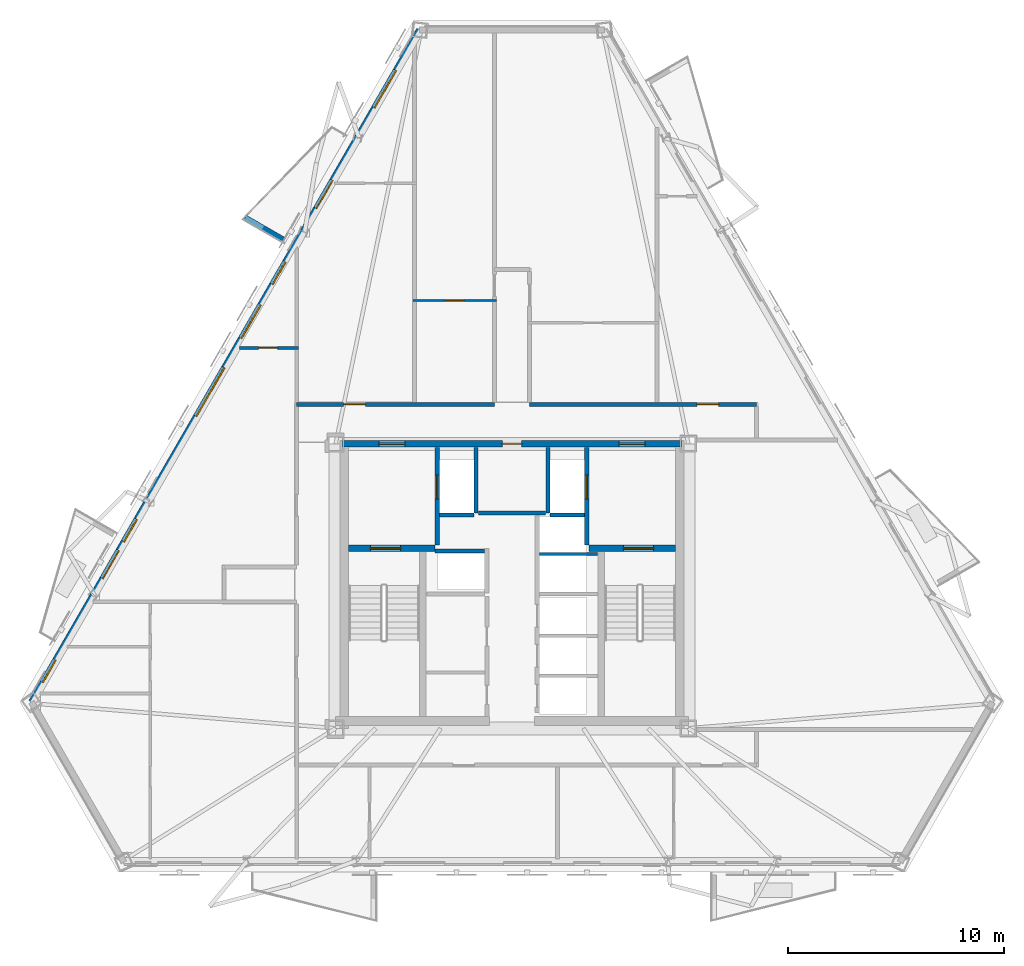
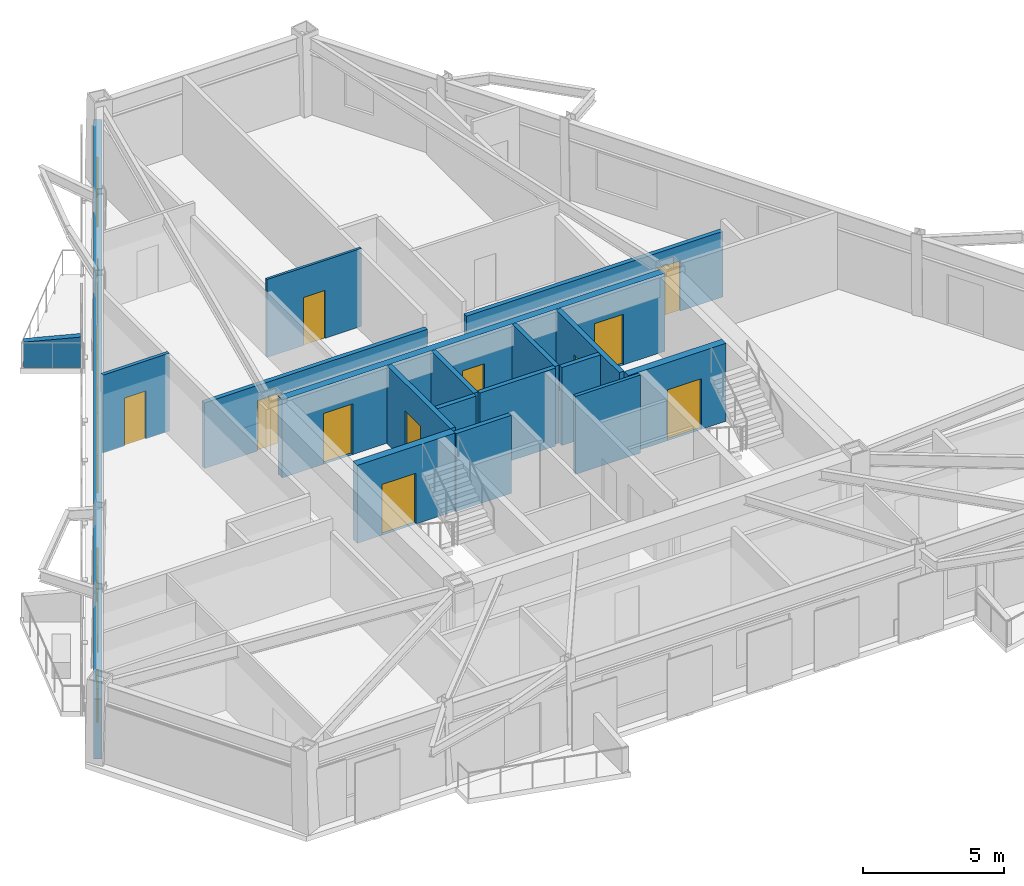
# One storey, part 4 of 8: 18 walls, 13 doors, 6 windows, 19 openings.
"""IFC4 building model written with IfcOpenShell, lengths in metres."""

from ifc_helpers import new_model, si_unit, direction, frame, frame_2d, origin, place, context, subcontext, project, spatial, polyline, rectangle, outline, extrude, material, layer, layer_set, type_object, element, fill, save


model = new_model("IFC4")

# Units and contexts
model_context = context("Model", 3, precision=1e-05, world=origin(), true_north=direction((0.0, 1.0)))
body_context = subcontext(model_context, "Body", "Model", "MODEL_VIEW")
ifc_project = project(units=[si_unit("LENGTHUNIT", "METRE"), si_unit("AREAUNIT", "SQUARE_METRE"), si_unit("VOLUMEUNIT", "CUBIC_METRE"), si_unit("PLANEANGLEUNIT", "RADIAN"), si_unit("MASSUNIT", "GRAM", prefix="KILO")], contexts=[model_context])

# Site, building, storey
site_placement = place(None, origin())
site = spatial("IfcSite", under=ifc_project, at=site_placement, CompositionType="ELEMENT")
building_placement = place(site_placement, origin())
building = spatial("IfcBuilding", under=site, at=building_placement, Name="Oramaril Tower", CompositionType="ELEMENT")
storey_placement = place(building_placement, frame((0.0, 0.0, 171.0)))
storey = spatial("IfcBuildingStorey", under=building, at=storey_placement, Name="L45", CompositionType="ELEMENT", Elevation=171.0)

# Wall, openings, doors, windows
ifc_material_1 = material(Name="Warm Cream Limestone", Category="masonry")
ifc_layer_1 = layer(ifc_material_1, 0.2900390625)
ifc_layer_set_1 = layer_set([ifc_layer_1], Name="WT-EXT29")
wall_type_1 = type_object("IfcWallType", Name="WT-EXT29", PredefinedType="SOLIDWALL", material=ifc_layer_set_1)
wall_1_placement = place(storey_placement, frame((33.2255859375, 43.275390625, 0.0), z_axis=(0.0, 0.0, 1.0), x_axis=(-0.499997229411, -0.866027003379, 0.0)))
wall_1 = element("IfcWall", 1, at=wall_1_placement, inside=storey, type_object=wall_type_1, Name="L45 Tower Limestone Facade Wall 6M", PredefinedType="SOLIDWALL", context=body_context, shape_type="SweptSolid", body=[
    extrude(rectangle(XDim=35.866455078125, YDim=0.2900390625, at=frame_2d((17.93310546875, 0.0))), origin(), (0.0, 0.0, 1.0), 2.60009765625),
])
opening_1_placement = place(wall_1_placement, frame((8.034423828125, 0.0, 0.0)))
opening_1 = element("IfcOpeningElement", 2, at=opening_1_placement, cuts=wall_1, Name="Opening D-L45-BAL-NW1", PredefinedType="OPENING", context=body_context, shape_type="SweptSolid", body=[
    extrude(rectangle(XDim=1.5, YDim=2.199951171875, at=frame_2d((0.75, 1.10009765625))), frame((0.0, 0.14501953125, 0.0), z_axis=(0.0, -1.0, 0.0), x_axis=(1.0, 0.0, 0.0)), (0.0, 0.0, 1.0), 0.2900390625),
])
opening_2_placement = place(wall_1_placement, frame((27.787109375, 0.0, 0.0)))
opening_2 = element("IfcOpeningElement", 3, at=opening_2_placement, cuts=wall_1, Name="Opening D-L45-BAL-NW2", PredefinedType="OPENING", context=body_context, shape_type="SweptSolid", body=[
    extrude(rectangle(XDim=1.5, YDim=2.199951171875, at=frame_2d((0.75, 1.10009765625))), frame((0.0, 0.14501953125, 0.0), z_axis=(0.0, -1.0, 0.0), x_axis=(1.0, 0.0, 0.0)), (0.0, 0.0, 1.0), 0.2900390625),
])
opening_3_placement = place(wall_1_placement, frame((33.6298828125, 0.0, 0.85009765625)))
opening_3 = element("IfcOpeningElement", 4, at=opening_3_placement, cuts=wall_1, Name="Opening WN-09", PredefinedType="OPENING", context=body_context, shape_type="SweptSolid", body=[
    extrude(rectangle(XDim=1.199951171875, YDim=1.47998046875, at=frame_2d((0.60009765625, 0.739990234375))), frame((0.0, 0.14501953125, 0.0), z_axis=(0.0, -1.0, 0.0), x_axis=(1.0, 0.0, 0.0)), (0.0, 0.0, 1.0), 0.2900390625),
])
opening_4_placement = place(wall_1_placement, frame((18.030029296875, 0.0, 0.85009765625)))
opening_4 = element("IfcOpeningElement", 5, at=opening_4_placement, cuts=wall_1, Name="Opening WN-02", PredefinedType="OPENING", context=body_context, shape_type="SweptSolid", body=[
    extrude(rectangle(XDim=2.60009765625, YDim=1.639892578125, at=frame_2d((1.300048828125, 0.81982421875))), frame((0.0, 0.14501953125, 0.0), z_axis=(0.0, -1.0, 0.0), x_axis=(1.0, 0.0, 0.0)), (0.0, 0.0, 1.0), 0.2900390625),
])
opening_5_placement = place(wall_1_placement, frame((26.12109375, 0.0, 0.85009765625)))
opening_5 = element("IfcOpeningElement", 6, at=opening_5_placement, cuts=wall_1, Name="Opening WN-09", PredefinedType="OPENING", context=body_context, shape_type="SweptSolid", body=[
    extrude(rectangle(XDim=1.199951171875, YDim=1.47998046875, at=frame_2d((0.60009765625, 0.739990234375))), frame((0.0, 0.14501953125, 0.0), z_axis=(0.0, -1.0, 0.0), x_axis=(1.0, 0.0, 0.0)), (0.0, 0.0, 1.0), 0.2900390625),
])
opening_6_placement = place(wall_1_placement, frame((12.37890625, 0.0, 0.85009765625)))
opening_6 = element("IfcOpeningElement", 7, at=opening_6_placement, cuts=wall_1, Name="Opening WN-09", PredefinedType="OPENING", context=body_context, shape_type="SweptSolid", body=[
    extrude(rectangle(XDim=1.199951171875, YDim=1.47998046875, at=frame_2d((0.60009765625, 0.739990234375))), frame((0.0, 0.14501953125, 0.0), z_axis=(0.0, -1.0, 0.0), x_axis=(1.0, 0.0, 0.0)), (0.0, 0.0, 1.0), 0.2900390625),
])
opening_7_placement = place(wall_1_placement, frame((14.6748046875, 0.0, 0.85009765625)))
opening_7 = element("IfcOpeningElement", 8, at=opening_7_placement, cuts=wall_1, Name="Opening WN-06", PredefinedType="OPENING", context=body_context, shape_type="SweptSolid", body=[
    extrude(rectangle(XDim=1.800048828125, YDim=1.639892578125, at=frame_2d((0.89990234375, 0.81982421875))), frame((0.0, 0.14501953125, 0.0), z_axis=(0.0, -1.0, 0.0), x_axis=(1.0, 0.0, 0.0)), (0.0, 0.0, 1.0), 0.2900390625),
])
opening_8_placement = place(wall_1_placement, frame((2.162109375, 0.0, 0.85009765625)))
opening_8 = element("IfcOpeningElement", 9, at=opening_8_placement, cuts=wall_1, Name="Opening WN-05", PredefinedType="OPENING", context=body_context, shape_type="SweptSolid", body=[
    extrude(rectangle(XDim=2.0, YDim=1.639892578125, at=frame_2d((1.0, 0.81982421875))), frame((0.0, 0.14501953125, 0.0), z_axis=(0.0, -1.0, 0.0), x_axis=(1.0, 0.0, 0.0)), (0.0, 0.0, 1.0), 0.2900390625),
])
ifc_material_2 = material(Name="Anodised Aluminium 6063-T6", Category="aluminium")
door_type_1 = type_object("IfcDoorType", Name="DT-BAL", OperationType="NOTDEFINED", PredefinedType="DOOR", material=ifc_material_2)
door_1_placement = place(opening_1_placement, origin())
door_1 = element("IfcDoor", 10, at=door_1_placement, inside=storey, type_object=door_type_1, Name="L45 Balcony Glazed Door L45-BAL-NW1", OperationType="SINGLE_SWING_RIGHT", OverallHeight=2.199951171875, OverallWidth=1.5, PredefinedType="DOOR", context=body_context, shape_type="SweptSolid", body=[
    extrude(rectangle(XDim=1.5, YDim=2.199951171875, at=frame_2d((0.75, 1.10009765625))), frame((0.0, 0.02490234375, 0.0), z_axis=(0.0, -1.0, 0.0), x_axis=(1.0, 0.0, 0.0)), (0.0, 0.0, 1.0), 0.050048828125),
])
fill(opening_1, door_1)
door_2_placement = place(opening_2_placement, origin())
door_2 = element("IfcDoor", 11, at=door_2_placement, inside=storey, type_object=door_type_1, Name="L45 Balcony Glazed Door L45-BAL-NW2", OperationType="SINGLE_SWING_LEFT", OverallHeight=2.199951171875, OverallWidth=1.5, PredefinedType="DOOR", context=body_context, shape_type="SweptSolid", body=[
    extrude(rectangle(XDim=1.5, YDim=2.199951171875, at=frame_2d((0.75, 1.10009765625))), frame((0.0, 0.02490234375, 0.0), z_axis=(0.0, -1.0, 0.0), x_axis=(1.0, 0.0, 0.0)), (0.0, 0.0, 1.0), 0.050048828125),
])
fill(opening_2, door_2)
ifc_material_3 = material(Name="Coastal Low-E Insulated Glass", Category="glass")
window_type_1 = type_object("IfcWindowType", Name="WNT-02", PartitioningType="SINGLE_PANEL", PredefinedType="WINDOW", material=ifc_material_3)
window_1_placement = place(opening_4_placement, origin())
window_1 = element("IfcWindow", 12, at=window_1_placement, inside=storey, type_object=window_type_1, Name="L45 Chicago Bay Window WN-02", OverallHeight=1.639892578125, OverallWidth=2.60009765625, PartitioningType="SINGLE_PANEL", PredefinedType="WINDOW", context=body_context, shape_type="SweptSolid", body=[
    extrude(rectangle(XDim=2.60009765625, YDim=1.639892578125, at=frame_2d((1.300048828125, 0.81982421875))), frame((0.0, 0.030029296875, 0.0), z_axis=(0.0, -1.0, 0.0), x_axis=(1.0, 0.0, 0.0)), (0.0, 0.0, 1.0), 0.06005859375),
])
fill(opening_4, window_1)
ifc_material_4 = material(Name="Coastal Low-E Insulated Glass", Category="glass")
window_type_2 = type_object("IfcWindowType", Name="WNT-05", PartitioningType="SINGLE_PANEL", PredefinedType="WINDOW", material=ifc_material_4)
window_2_placement = place(opening_8_placement, origin())
window_2 = element("IfcWindow", 13, at=window_2_placement, inside=storey, type_object=window_type_2, Name="L45 Chicago Bay Window WN-05", OverallHeight=1.639892578125, OverallWidth=2.0, PartitioningType="SINGLE_PANEL", PredefinedType="WINDOW", context=body_context, shape_type="SweptSolid", body=[
    extrude(rectangle(XDim=2.0, YDim=1.639892578125, at=frame_2d((1.0, 0.81982421875))), frame((0.0, 0.030029296875, 0.0), z_axis=(0.0, -1.0, 0.0), x_axis=(1.0, 0.0, 0.0)), (0.0, 0.0, 1.0), 0.06005859375),
])
fill(opening_8, window_2)
ifc_material_5 = material(Name="Coastal Low-E Insulated Glass", Category="glass")
window_type_3 = type_object("IfcWindowType", Name="WNT-06", PartitioningType="SINGLE_PANEL", PredefinedType="WINDOW", material=ifc_material_5)
window_3_placement = place(opening_7_placement, origin())
window_3 = element("IfcWindow", 14, at=window_3_placement, inside=storey, type_object=window_type_3, Name="L45 Chicago Bay Window WN-06", OverallHeight=1.639892578125, OverallWidth=1.800048828125, PartitioningType="SINGLE_PANEL", PredefinedType="WINDOW", context=body_context, shape_type="SweptSolid", body=[
    extrude(rectangle(XDim=1.800048828125, YDim=1.639892578125, at=frame_2d((0.89990234375, 0.81982421875))), frame((0.0, 0.030029296875, 0.0), z_axis=(0.0, -1.0, 0.0), x_axis=(1.0, 0.0, 0.0)), (0.0, 0.0, 1.0), 0.06005859375),
])
fill(opening_7, window_3)
ifc_material_6 = material(Name="Coastal Low-E Insulated Glass", Category="glass")
window_type_4 = type_object("IfcWindowType", Name="WNT-09", PartitioningType="SINGLE_PANEL", PredefinedType="WINDOW", material=ifc_material_6)
window_4_placement = place(opening_3_placement, origin())
window_4 = element("IfcWindow", 15, at=window_4_placement, inside=storey, type_object=window_type_4, Name="L45 Chicago Bay Window WN-09", OverallHeight=1.47998046875, OverallWidth=1.199951171875, PartitioningType="SINGLE_PANEL", PredefinedType="WINDOW", context=body_context, shape_type="SweptSolid", body=[
    extrude(rectangle(XDim=1.199951171875, YDim=1.47998046875, at=frame_2d((0.60009765625, 0.739990234375))), frame((0.0, 0.030029296875, 0.0), z_axis=(0.0, -1.0, 0.0), x_axis=(1.0, 0.0, 0.0)), (0.0, 0.0, 1.0), 0.06005859375),
])
fill(opening_3, window_4)
window_5_placement = place(opening_5_placement, origin())
window_5 = element("IfcWindow", 16, at=window_5_placement, inside=storey, type_object=window_type_4, Name="L45 Chicago Bay Window WN-09", OverallHeight=1.47998046875, OverallWidth=1.199951171875, PartitioningType="SINGLE_PANEL", PredefinedType="WINDOW", context=body_context, shape_type="SweptSolid", body=[
    extrude(rectangle(XDim=1.199951171875, YDim=1.47998046875, at=frame_2d((0.60009765625, 0.739990234375))), frame((0.0, 0.030029296875, 0.0), z_axis=(0.0, -1.0, 0.0), x_axis=(1.0, 0.0, 0.0)), (0.0, 0.0, 1.0), 0.06005859375),
])
fill(opening_5, window_5)
window_6_placement = place(opening_6_placement, origin())
window_6 = element("IfcWindow", 17, at=window_6_placement, inside=storey, type_object=window_type_4, Name="L45 Chicago Bay Window WN-09", OverallHeight=1.47998046875, OverallWidth=1.199951171875, PartitioningType="SINGLE_PANEL", PredefinedType="WINDOW", context=body_context, shape_type="SweptSolid", body=[
    extrude(rectangle(XDim=1.199951171875, YDim=1.47998046875, at=frame_2d((0.60009765625, 0.739990234375))), frame((0.0, 0.030029296875, 0.0), z_axis=(0.0, -1.0, 0.0), x_axis=(1.0, 0.0, 0.0)), (0.0, 0.0, 1.0), 0.06005859375),
])
fill(opening_6, window_6)

# Wall
ifc_material_7 = material(Name="Concrete C40/50", Category="concrete")
ifc_layer_2 = layer(ifc_material_7, 0.22998046875)
ifc_layer_set_2 = layer_set([ifc_layer_2], Name="WT-PRP23")
wall_type_2 = type_object("IfcWallType", Name="WT-PRP23", PredefinedType="PARAPET", material=ifc_layer_set_2)
wall_2_placement = place(storey_placement, frame((26.943115234375, 33.589599609375, 0.0), z_axis=(0.0, 0.0, 1.0), x_axis=(-0.866042246008, 0.499970827278, 0.0)))
element("IfcWall", 18, at=wall_2_placement, inside=storey, type_object=wall_type_2, Name="L45 Trapezoidal Balcony Frame Cheek L45-BAL-NW1-R", PredefinedType="PARAPET", context=body_context, shape_type="SweptSolid", body=[
    extrude(outline(polyline([(0.0, 0.0), (2.0419921875, 0.0), (2.0419921875, 1.10009765625), (0.0, 1.320068359375), (0.0, 0.0)])), frame((0.0, 0.114990234375, 0.0), z_axis=(0.0, -1.0, 0.0), x_axis=(1.0, 0.0, 0.0)), (0.0, 0.0, 1.0), 0.22998046875),
])

# Wall, opening, door
ifc_material_8 = material(Name="Acoustic Gypsum Board Partition")
ifc_layer_3 = layer(ifc_material_8, 0.10009765625)
ifc_layer_set_3 = layer_set([ifc_layer_3], Name="WT-PT10")
wall_type_3 = type_object("IfcWallType", Name="WT-PT10", PredefinedType="PARTITIONING", material=ifc_layer_set_3)
wall_3_placement = place(storey_placement, frame((32.91796875, 30.77001953125, 0.0), z_axis=(0.0, 0.0, 1.0), x_axis=(1.0, 0.0, 0.0)))
wall_3 = element("IfcWall", 19, at=wall_3_placement, inside=storey, type_object=wall_type_3, Name="L45 Interior Partition PT-10", PredefinedType="PARTITIONING", context=body_context, shape_type="SweptSolid", body=[
    extrude(rectangle(XDim=3.864013671875, YDim=0.10009765625, at=frame_2d((1.93212890625, 0.0))), origin(), (0.0, 0.0, 1.0), 3.3798828125),
])
opening_9_placement = place(wall_3_placement, frame((1.491943359375, 0.0, 0.0)))
opening_9 = element("IfcOpeningElement", 20, at=opening_9_placement, cuts=wall_3, Name="Opening D-L45-07", PredefinedType="OPENING", context=body_context, shape_type="SweptSolid", body=[
    extrude(rectangle(XDim=0.8798828125, YDim=2.080078125, at=frame_2d((0.43994140625, 1.0400390625))), frame((0.0, 0.050048828125, 0.0), z_axis=(0.0, -1.0, 0.0), x_axis=(1.0, 0.0, 0.0)), (0.0, 0.0, 1.0), 0.10009765625),
])
ifc_material_9 = material(Name="FSC Brazilian Freijo Hardwood", Category="wood")
door_type_2 = type_object("IfcDoorType", Name="DT-BATH", OperationType="NOTDEFINED", PredefinedType="DOOR", material=ifc_material_9)
door_3_placement = place(opening_9_placement, origin())
door_3 = element("IfcDoor", 21, at=door_3_placement, inside=storey, type_object=door_type_2, Name="L45 Flat L45-U7 Bathroom Door D-L45-07", OperationType="SINGLE_SWING_RIGHT", OverallHeight=2.080078125, OverallWidth=0.8798828125, PredefinedType="DOOR", context=body_context, shape_type="SweptSolid", body=[
    extrude(rectangle(XDim=0.8798828125, YDim=2.080078125, at=frame_2d((0.43994140625, 1.0400390625))), frame((0.0, 0.02490234375, 0.0), z_axis=(0.0, -1.0, 0.0), x_axis=(1.0, 0.0, 0.0)), (0.0, 0.0, 1.0), 0.050048828125),
])
fill(opening_9, door_3)

# Wall
ifc_material_10 = material(Name="Acoustic Gypsum Board Partition")
ifc_layer_4 = layer(ifc_material_10, 0.139892578125)
ifc_layer_set_4 = layer_set([ifc_layer_4], Name="WT-PT14")
wall_type_4 = type_object("IfcWallType", Name="WT-PT14", PredefinedType="PARTITIONING", material=ifc_layer_set_4)
wall_4_placement = place(storey_placement, frame((38.780029296875, 19.050048828125, 0.0), z_axis=(0.0, 0.0, 1.0), x_axis=(1.0, 0.0, 0.0)))
element("IfcWall", 22, at=wall_4_placement, inside=storey, type_object=wall_type_4, Name="L45 East Lift Divider", PredefinedType="PARTITIONING", context=body_context, shape_type="SweptSolid", body=[
    extrude(rectangle(XDim=2.659912109375, YDim=0.139892578125, at=frame_2d((1.330078125, 0.0))), origin(), (0.0, 0.0, 1.0), 3.3798828125),
])

# Wall, opening, door
wall_5_placement = place(storey_placement, frame((24.913330078125, 28.580078125, 0.0), z_axis=(0.0, 0.0, 1.0), x_axis=(1.0, 0.0, 0.0)))
wall_5 = element("IfcWall", 23, at=wall_5_placement, inside=storey, type_object=wall_type_4, Name="L45 Interior Partition PT-14", PredefinedType="PARTITIONING", context=body_context, shape_type="SweptSolid", body=[
    extrude(rectangle(XDim=2.71875, YDim=0.139892578125, at=frame_2d((1.359375, 0.0))), origin(), (0.0, 0.0, 1.0), 3.3798828125),
])
opening_10_placement = place(wall_5_placement, frame((0.87890625, 0.0, 0.0)))
opening_10 = element("IfcOpeningElement", 24, at=opening_10_placement, cuts=wall_5, Name="Opening D-L45-05", PredefinedType="OPENING", context=body_context, shape_type="SweptSolid", body=[
    extrude(rectangle(XDim=0.8798828125, YDim=2.080078125, at=frame_2d((0.43994140625, 1.0400390625))), frame((0.0, 0.06982421875, 0.0), z_axis=(0.0, -1.0, 0.0), x_axis=(1.0, 0.0, 0.0)), (0.0, 0.0, 1.0), 0.139892578125),
])
door_4_placement = place(opening_10_placement, origin())
door_4 = element("IfcDoor", 25, at=door_4_placement, inside=storey, type_object=door_type_2, Name="L45 Flat L45-U4 Bathroom Door D-L45-05", OperationType="SINGLE_SWING_RIGHT", OverallHeight=2.080078125, OverallWidth=0.8798828125, PredefinedType="DOOR", context=body_context, shape_type="SweptSolid", body=[
    extrude(rectangle(XDim=0.8798828125, YDim=2.080078125, at=frame_2d((0.43994140625, 1.0400390625))), frame((0.0, 0.02490234375, 0.0), z_axis=(0.0, -1.0, 0.0), x_axis=(1.0, 0.0, 0.0)), (0.0, 0.0, 1.0), 0.050048828125),
])
fill(opening_10, door_4)

# Walls
ifc_material_11 = material(Name="Autoclaved Cellular Concrete Block", Category="concrete")
ifc_layer_5 = layer(ifc_material_11, 0.179931640625)
ifc_layer_set_5 = layer_set([ifc_layer_5], Name="WT-PT18")
wall_type_5 = type_object("IfcWallType", Name="WT-PT18", PredefinedType="PARTITIONING", material=ifc_layer_set_5)
wall_6_placement = place(storey_placement, frame((35.840087890625, 20.9599609375, 0.0), z_axis=(0.0, 0.0, 1.0), x_axis=(0.0, 1.0, 0.0)))
element("IfcWall", 26, at=wall_6_placement, inside=storey, type_object=wall_type_5, Name="L45 FL-1 East Shaft Wall", PredefinedType="PARTITIONING", context=body_context, shape_type="SweptSolid", body=[
    extrude(rectangle(XDim=3.02001953125, YDim=0.179931640625, at=frame_2d((1.510009765625, 0.0))), origin(), (0.0, 0.0, 1.0), 3.3798828125),
])
wall_7_placement = place(storey_placement, frame((34.159912109375, 20.860107421875, 0.0), z_axis=(0.0, 0.0, 1.0), x_axis=(1.0, 0.0, 0.0)))
element("IfcWall", 27, at=wall_7_placement, inside=storey, type_object=wall_type_5, Name="L45 FL-1 South Shaft Wall", PredefinedType="PARTITIONING", context=body_context, shape_type="SweptSolid", body=[
    extrude(rectangle(XDim=1.580078125, YDim=0.179931640625, at=frame_2d((0.7900390625, 0.0))), origin(), (0.0, 0.0, 1.0), 3.3798828125),
])
wall_8_placement = place(storey_placement, frame((39.159912109375, 20.9599609375, 0.0), z_axis=(0.0, 0.0, 1.0), x_axis=(0.0, 1.0, 0.0)))
element("IfcWall", 28, at=wall_8_placement, inside=storey, type_object=wall_type_5, Name="L45 FL-2 West Shaft Wall", PredefinedType="PARTITIONING", context=body_context, shape_type="SweptSolid", body=[
    extrude(rectangle(XDim=3.02001953125, YDim=0.179931640625, at=frame_2d((1.510009765625, 0.0))), origin(), (0.0, 0.0, 1.0), 3.3798828125),
])
wall_9_placement = place(storey_placement, frame((39.260009765625, 20.860107421875, 0.0), z_axis=(0.0, 0.0, 1.0), x_axis=(1.0, 0.0, 0.0)))
element("IfcWall", 29, at=wall_9_placement, inside=storey, type_object=wall_type_5, Name="L45 FL-2 South Shaft Wall", PredefinedType="PARTITIONING", context=body_context, shape_type="SweptSolid", body=[
    extrude(rectangle(XDim=1.580078125, YDim=0.179931640625, at=frame_2d((0.7900390625, 0.0))), origin(), (0.0, 0.0, 1.0), 3.3798828125),
])
wall_10_placement = place(storey_placement, frame((33.949951171875, 19.199951171875, 0.0), z_axis=(0.0, 0.0, 1.0), x_axis=(1.0, 0.0, 0.0)))
element("IfcWall", 30, at=wall_10_placement, inside=storey, type_object=wall_type_5, Name="L45 High-Rise Lift H1 North Shaft Wall", PredefinedType="PARTITIONING", context=body_context, shape_type="SweptSolid", body=[
    extrude(rectangle(XDim=2.27001953125, YDim=0.179931640625, at=frame_2d((1.135009765625, 0.0))), origin(), (0.0, 0.0, 1.0), 3.3798828125),
])
wall_11_placement = place(storey_placement, frame((35.949951171875, 20.949951171875, 0.0), z_axis=(0.0, 0.0, 1.0), x_axis=(1.0, 0.0, 0.0)))
element("IfcWall", 31, at=wall_11_placement, inside=storey, type_object=wall_type_5, Name="L45 Lift Lobby North Partition", PredefinedType="PARTITIONING", context=body_context, shape_type="SweptSolid", body=[
    extrude(rectangle(XDim=3.10009765625, YDim=0.179931640625, at=frame_2d((1.550048828125, 0.0))), origin(), (0.0, 0.0, 1.0), 3.3798828125),
])

# Wall, opening, door
wall_12_placement = place(storey_placement, frame((27.550048828125, 25.969970703125, 0.0), z_axis=(0.0, 0.0, 1.0), x_axis=(1.0, 0.0, 0.0)))
wall_12 = element("IfcWall", 32, at=wall_12_placement, inside=storey, type_object=wall_type_5, Name="L45 Interior Partition PT-18", PredefinedType="PARTITIONING", context=body_context, shape_type="SweptSolid", body=[
    extrude(rectangle(XDim=9.14990234375, YDim=0.179931640625, at=frame_2d((4.574951171875, 0.0))), origin(), (0.0, 0.0, 1.0), 2.842041015625),
])
opening_11_placement = place(wall_12_placement, frame((2.17333984375, 0.0, 0.0)))
opening_11 = element("IfcOpeningElement", 33, at=opening_11_placement, cuts=wall_12, Name="Opening D-L45-03", PredefinedType="OPENING", context=body_context, shape_type="SweptSolid", body=[
    extrude(rectangle(XDim=1.0, YDim=2.179931640625, at=frame_2d((0.5, 1.08984375))), frame((0.0, 0.08984375, 0.0), z_axis=(0.0, -1.0, 0.0), x_axis=(1.0, 0.0, 0.0)), (0.0, 0.0, 1.0), 0.179931640625),
])
ifc_material_12 = material(Name="FSC Brazilian Freijo Hardwood", Category="wood")
door_type_3 = type_object("IfcDoorType", Name="DT-APT", OperationType="NOTDEFINED", PredefinedType="DOOR", material=ifc_material_12)
door_5_placement = place(opening_11_placement, origin())
door_5 = element("IfcDoor", 34, at=door_5_placement, inside=storey, type_object=door_type_3, Name="L45 Flat L45-U6 Kitchen and Studio Apartment Door D-L45-03", OperationType="SINGLE_SWING_RIGHT", OverallHeight=2.179931640625, OverallWidth=1.0, PredefinedType="DOOR", context=body_context, shape_type="SweptSolid", body=[
    extrude(rectangle(XDim=1.0, YDim=2.179931640625, at=frame_2d((0.5, 1.08984375))), frame((0.0, 0.02490234375, 0.0), z_axis=(0.0, -1.0, 0.0), x_axis=(1.0, 0.0, 0.0)), (0.0, 0.0, 1.0), 0.050048828125),
])
fill(opening_11, door_5)

wall_13_placement = place(storey_placement, frame((38.300048828125, 25.969970703125, 0.0), z_axis=(0.0, 0.0, 1.0), x_axis=(1.0, 0.0, 0.0)))
wall_13 = element("IfcWall", 35, at=wall_13_placement, inside=storey, type_object=wall_type_5, Name="L45 Interior Partition PT-18", PredefinedType="PARTITIONING", context=body_context, shape_type="SweptSolid", body=[
    extrude(rectangle(XDim=10.5, YDim=0.179931640625, at=frame_2d((5.25, 0.0))), origin(), (0.0, 0.0, 1.0), 2.842041015625),
])
opening_12_placement = place(wall_13_placement, frame((7.752197265625, 0.0, 0.0)))
opening_12 = element("IfcOpeningElement", 36, at=opening_12_placement, cuts=wall_13, Name="Opening D-L45-04", PredefinedType="OPENING", context=body_context, shape_type="SweptSolid", body=[
    extrude(rectangle(XDim=1.0, YDim=2.179931640625, at=frame_2d((0.5, 1.08984375))), frame((0.0, 0.08984375, 0.0), z_axis=(0.0, -1.0, 0.0), x_axis=(1.0, 0.0, 0.0)), (0.0, 0.0, 1.0), 0.179931640625),
])
door_6_placement = place(opening_12_placement, origin())
door_6 = element("IfcDoor", 37, at=door_6_placement, inside=storey, type_object=door_type_3, Name="L45 Flat L45-U9 Kitchen and Studio Apartment Door D-L45-04", OperationType="SINGLE_SWING_LEFT", OverallHeight=2.179931640625, OverallWidth=1.0, PredefinedType="DOOR", context=body_context, shape_type="SweptSolid", body=[
    extrude(rectangle(XDim=1.0, YDim=2.179931640625, at=frame_2d((0.5, 1.08984375))), frame((0.0, 0.02490234375, 0.0), z_axis=(0.0, -1.0, 0.0), x_axis=(1.0, 0.0, 0.0)), (0.0, 0.0, 1.0), 0.050048828125),
])
fill(opening_12, door_6)

# Wall, openings, doors
ifc_material_13 = material(Name="Concrete C50/60", Category="concrete")
ifc_layer_6 = layer(ifc_material_13, 0.300048828125)
ifc_layer_set_6 = layer_set([ifc_layer_6], Name="WT-SH30")
wall_type_6 = type_object("IfcWallType", Name="WT-SH30", PredefinedType="SHEAR", material=ifc_layer_set_6)
wall_14_placement = place(storey_placement, frame((29.64990234375, 24.14990234375, 0.0), z_axis=(0.0, 0.0, 1.0), x_axis=(1.0, 0.0, 0.0)))
wall_14 = element("IfcWall", 38, at=wall_14_placement, inside=storey, type_object=wall_type_6, Name="L45 Core Shear Wall CW-N", PredefinedType="SHEAR", context=body_context, shape_type="SweptSolid", body=[
    extrude(rectangle(XDim=15.7001953125, YDim=0.300048828125, at=frame_2d((7.85009765625, 0.0))), origin(), (0.0, 0.0, 1.0), 3.3798828125),
])
opening_13_placement = place(wall_14_placement, frame((1.699951171875, 0.0, 0.0)))
opening_13 = element("IfcOpeningElement", 39, at=opening_13_placement, cuts=wall_14, Name="Opening D-L45-FFL1", PredefinedType="OPENING", context=body_context, shape_type="SweptSolid", body=[
    extrude(rectangle(XDim=1.199951171875, YDim=2.199951171875, at=frame_2d((0.60009765625, 1.10009765625))), frame((0.0, 0.14990234375, 0.0), z_axis=(0.0, -1.0, 0.0), x_axis=(1.0, 0.0, 0.0)), (0.0, 0.0, 1.0), 0.300048828125),
])
opening_14_placement = place(wall_14_placement, frame((12.800048828125, 0.0, 0.0)))
opening_14 = element("IfcOpeningElement", 40, at=opening_14_placement, cuts=wall_14, Name="Opening D-L45-FFL2", PredefinedType="OPENING", context=body_context, shape_type="SweptSolid", body=[
    extrude(rectangle(XDim=1.199951171875, YDim=2.199951171875, at=frame_2d((0.60009765625, 1.10009765625))), frame((0.0, 0.14990234375, 0.0), z_axis=(0.0, -1.0, 0.0), x_axis=(1.0, 0.0, 0.0)), (0.0, 0.0, 1.0), 0.300048828125),
])
opening_15_placement = place(wall_14_placement, frame((7.39990234375, 0.0, 0.0)))
opening_15 = element("IfcOpeningElement", 41, at=opening_15_placement, cuts=wall_14, Name="Opening D-L45-SV1", PredefinedType="OPENING", context=body_context, shape_type="SweptSolid", body=[
    extrude(rectangle(XDim=0.89990234375, YDim=2.050048828125, at=frame_2d((0.449951171875, 1.02490234375))), frame((0.0, 0.14990234375, 0.0), z_axis=(0.0, -1.0, 0.0), x_axis=(1.0, 0.0, 0.0)), (0.0, 0.0, 1.0), 0.300048828125),
])
ifc_material_14 = material(Name="Painted Galvanised Steel", Category="steel")
door_type_4 = type_object("IfcDoorType", Name="DT-FFL", OperationType="NOTDEFINED", PredefinedType="DOOR", material=ifc_material_14)
door_7_placement = place(opening_13_placement, origin())
door_7 = element("IfcDoor", 42, at=door_7_placement, inside=storey, type_object=door_type_4, Name="L45 Firefighting Lobby 1 Fire Door", OperationType="SINGLE_SWING_LEFT", OverallHeight=2.199951171875, OverallWidth=1.199951171875, PredefinedType="DOOR", context=body_context, shape_type="SweptSolid", body=[
    extrude(rectangle(XDim=1.199951171875, YDim=2.199951171875, at=frame_2d((0.60009765625, 1.10009765625))), frame((0.0, 0.02490234375, 0.0), z_axis=(0.0, -1.0, 0.0), x_axis=(1.0, 0.0, 0.0)), (0.0, 0.0, 1.0), 0.050048828125),
])
fill(opening_13, door_7)
door_8_placement = place(opening_14_placement, origin())
door_8 = element("IfcDoor", 43, at=door_8_placement, inside=storey, type_object=door_type_4, Name="L45 Firefighting Lobby 2 Fire Door", OperationType="SINGLE_SWING_RIGHT", OverallHeight=2.199951171875, OverallWidth=1.199951171875, PredefinedType="DOOR", context=body_context, shape_type="SweptSolid", body=[
    extrude(rectangle(XDim=1.199951171875, YDim=2.199951171875, at=frame_2d((0.60009765625, 1.10009765625))), frame((0.0, 0.02490234375, 0.0), z_axis=(0.0, -1.0, 0.0), x_axis=(1.0, 0.0, 0.0)), (0.0, 0.0, 1.0), 0.050048828125),
])
fill(opening_14, door_8)
ifc_material_15 = material(Name="Painted Galvanised Steel", Category="steel")
door_type_5 = type_object("IfcDoorType", Name="DT-SVC", OperationType="NOTDEFINED", PredefinedType="DOOR", material=ifc_material_15)
door_9_placement = place(opening_15_placement, origin())
door_9 = element("IfcDoor", 44, at=door_9_placement, inside=storey, type_object=door_type_5, Name="L45 Core Janitor Store Door", OperationType="SINGLE_SWING_LEFT", OverallHeight=2.050048828125, OverallWidth=0.89990234375, PredefinedType="DOOR", context=body_context, shape_type="SweptSolid", body=[
    extrude(rectangle(XDim=0.89990234375, YDim=2.050048828125, at=frame_2d((0.449951171875, 1.02490234375))), frame((0.0, 0.02490234375, 0.0), z_axis=(0.0, -1.0, 0.0), x_axis=(1.0, 0.0, 0.0)), (0.0, 0.0, 1.0), 0.050048828125),
])
fill(opening_15, door_9)

# Wall, opening, door
wall_15_placement = place(storey_placement, frame((29.93994140625, 19.31005859375, 0.0), z_axis=(0.0, 0.0, 1.0), x_axis=(1.0, 0.0, 0.0)))
wall_15 = element("IfcWall", 45, at=wall_15_placement, inside=storey, type_object=wall_type_6, Name="L45 Core Shear Wall CW-ST1N", PredefinedType="SHEAR", context=body_context, shape_type="SweptSolid", body=[
    extrude(rectangle(XDim=4.010009765625, YDim=0.300048828125, at=frame_2d((2.0048828125, 0.0))), origin(), (0.0, 0.0, 1.0), 3.3798828125),
])
opening_16_placement = place(wall_15_placement, frame((1.010009765625, 0.0, 0.0)))
opening_16 = element("IfcOpeningElement", 46, at=opening_16_placement, cuts=wall_15, Name="Opening D-L45-ST1", PredefinedType="OPENING", context=body_context, shape_type="SweptSolid", body=[
    extrude(rectangle(XDim=1.39990234375, YDim=2.199951171875, at=frame_2d((0.699951171875, 1.10009765625))), frame((0.0, 0.14990234375, 0.0), z_axis=(0.0, -1.0, 0.0), x_axis=(1.0, 0.0, 0.0)), (0.0, 0.0, 1.0), 0.300048828125),
])
ifc_material_16 = material(Name="Painted Galvanised Steel", Category="steel")
door_type_6 = type_object("IfcDoorType", Name="DT-ST", OperationType="NOTDEFINED", PredefinedType="DOOR", material=ifc_material_16)
door_10_placement = place(opening_16_placement, origin())
door_10 = element("IfcDoor", 47, at=door_10_placement, inside=storey, type_object=door_type_6, Name="L45 Protected Stair ST-1 Fire Door", OperationType="SINGLE_SWING_LEFT", OverallHeight=2.199951171875, OverallWidth=1.39990234375, PredefinedType="DOOR", context=body_context, shape_type="SweptSolid", body=[
    extrude(rectangle(XDim=1.39990234375, YDim=2.199951171875, at=frame_2d((0.699951171875, 1.10009765625))), frame((0.0, 0.02490234375, 0.0), z_axis=(0.0, -1.0, 0.0), x_axis=(1.0, 0.0, 0.0)), (0.0, 0.0, 1.0), 0.050048828125),
])
fill(opening_16, door_10)

wall_16_placement = place(storey_placement, frame((41.050048828125, 19.31005859375, 0.0), z_axis=(0.0, 0.0, 1.0), x_axis=(1.0, 0.0, 0.0)))
wall_16 = element("IfcWall", 48, at=wall_16_placement, inside=storey, type_object=wall_type_6, Name="L45 Core Shear Wall CW-ST2N", PredefinedType="SHEAR", context=body_context, shape_type="SweptSolid", body=[
    extrude(rectangle(XDim=4.010009765625, YDim=0.300048828125, at=frame_2d((2.0048828125, 0.0))), origin(), (0.0, 0.0, 1.0), 3.3798828125),
])
opening_17_placement = place(wall_16_placement, frame((1.60009765625, 0.0, 0.0)))
opening_17 = element("IfcOpeningElement", 49, at=opening_17_placement, cuts=wall_16, Name="Opening D-L45-ST2", PredefinedType="OPENING", context=body_context, shape_type="SweptSolid", body=[
    extrude(rectangle(XDim=1.39990234375, YDim=2.199951171875, at=frame_2d((0.699951171875, 1.10009765625))), frame((0.0, 0.14990234375, 0.0), z_axis=(0.0, -1.0, 0.0), x_axis=(1.0, 0.0, 0.0)), (0.0, 0.0, 1.0), 0.300048828125),
])
door_11_placement = place(opening_17_placement, origin())
door_11 = element("IfcDoor", 50, at=door_11_placement, inside=storey, type_object=door_type_6, Name="L45 Protected Stair ST-2 Fire Door", OperationType="SINGLE_SWING_RIGHT", OverallHeight=2.199951171875, OverallWidth=1.39990234375, PredefinedType="DOOR", context=body_context, shape_type="SweptSolid", body=[
    extrude(rectangle(XDim=1.39990234375, YDim=2.199951171875, at=frame_2d((0.699951171875, 1.10009765625))), frame((0.0, 0.02490234375, 0.0), z_axis=(0.0, -1.0, 0.0), x_axis=(1.0, 0.0, 0.0)), (0.0, 0.0, 1.0), 0.050048828125),
])
fill(opening_17, door_11)

ifc_material_17 = material(Name="Autoclaved Cellular Concrete Block", Category="concrete")
ifc_layer_7 = layer(ifc_material_17, 0.199951171875)
ifc_layer_set_7 = layer_set([ifc_layer_7], Name="WT-SHF20")
wall_type_7 = type_object("IfcWallType", Name="WT-SHF20", PredefinedType="PARTITIONING", material=ifc_layer_set_7)
wall_17_placement = place(storey_placement, frame((34.0400390625, 19.47998046875, 0.0), z_axis=(0.0, 0.0, 1.0), x_axis=(0.0, 1.0, 0.0)))
wall_17 = element("IfcWall", 51, at=wall_17_placement, inside=storey, type_object=wall_type_7, Name="L45 FL-1 Lobby Shaft Wall", PredefinedType="PARTITIONING", context=body_context, shape_type="SweptSolid", body=[
    extrude(rectangle(XDim=4.5, YDim=0.199951171875, at=frame_2d((2.25, 0.0))), origin(), (0.0, 0.0, 1.0), 3.3798828125),
])
opening_18_placement = place(wall_17_placement, frame((2.1201171875, 0.0, 0.0)))
opening_18 = element("IfcOpeningElement", 52, at=opening_18_placement, cuts=wall_17, Name="Opening LD-L45-FL-1", PredefinedType="OPENING", context=body_context, shape_type="SweptSolid", body=[
    extrude(rectangle(XDim=1.10009765625, YDim=2.199951171875, at=frame_2d((0.550048828125, 1.10009765625))), frame((0.0, 0.10009765625, 0.0), z_axis=(0.0, -1.0, 0.0), x_axis=(1.0, 0.0, 0.0)), (0.0, 0.0, 1.0), 0.199951171875),
])
ifc_material_18 = material(Name="Stainless Steel 316L", Category="steel")
door_type_7 = type_object("IfcDoorType", Name="DT-LD1", OperationType="NOTDEFINED", PredefinedType="DOOR", material=ifc_material_18)
door_12_placement = place(opening_18_placement, origin())
door_12 = element("IfcDoor", 53, at=door_12_placement, inside=storey, type_object=door_type_7, Name="L45 Lift FL-1 Sliding Landing Door", OperationType="SLIDING_TO_LEFT", OverallHeight=2.199951171875, OverallWidth=1.10009765625, PredefinedType="DOOR", context=body_context, shape_type="SweptSolid", body=[
    extrude(rectangle(XDim=1.10009765625, YDim=2.199951171875, at=frame_2d((0.550048828125, 1.10009765625))), frame((0.0, 0.02490234375, 0.0), z_axis=(0.0, -1.0, 0.0), x_axis=(1.0, 0.0, 0.0)), (0.0, 0.0, 1.0), 0.050048828125),
])
fill(opening_18, door_12)

wall_18_placement = place(storey_placement, frame((40.9599609375, 19.47998046875, 0.0), z_axis=(0.0, 0.0, 1.0), x_axis=(0.0, 1.0, 0.0)))
wall_18 = element("IfcWall", 54, at=wall_18_placement, inside=storey, type_object=wall_type_7, Name="L45 FL-2 Lobby Shaft Wall", PredefinedType="PARTITIONING", context=body_context, shape_type="SweptSolid", body=[
    extrude(rectangle(XDim=4.5, YDim=0.199951171875, at=frame_2d((2.25, 0.0))), origin(), (0.0, 0.0, 1.0), 3.3798828125),
])
opening_19_placement = place(wall_18_placement, frame((2.1201171875, 0.0, 0.0)))
opening_19 = element("IfcOpeningElement", 55, at=opening_19_placement, cuts=wall_18, Name="Opening LD-L45-FL-2", PredefinedType="OPENING", context=body_context, shape_type="SweptSolid", body=[
    extrude(rectangle(XDim=1.10009765625, YDim=2.199951171875, at=frame_2d((0.550048828125, 1.10009765625))), frame((0.0, 0.10009765625, 0.0), z_axis=(0.0, -1.0, 0.0), x_axis=(1.0, 0.0, 0.0)), (0.0, 0.0, 1.0), 0.199951171875),
])
door_13_placement = place(opening_19_placement, origin())
door_13 = element("IfcDoor", 56, at=door_13_placement, inside=storey, type_object=door_type_7, Name="L45 Lift FL-2 Sliding Landing Door", OperationType="SLIDING_TO_RIGHT", OverallHeight=2.199951171875, OverallWidth=1.10009765625, PredefinedType="DOOR", context=body_context, shape_type="SweptSolid", body=[
    extrude(rectangle(XDim=1.10009765625, YDim=2.199951171875, at=frame_2d((0.550048828125, 1.10009765625))), frame((0.0, 0.02490234375, 0.0), z_axis=(0.0, -1.0, 0.0), x_axis=(1.0, 0.0, 0.0)), (0.0, 0.0, 1.0), 0.050048828125),
])
fill(opening_19, door_13)

save(model, "model.ifc")
